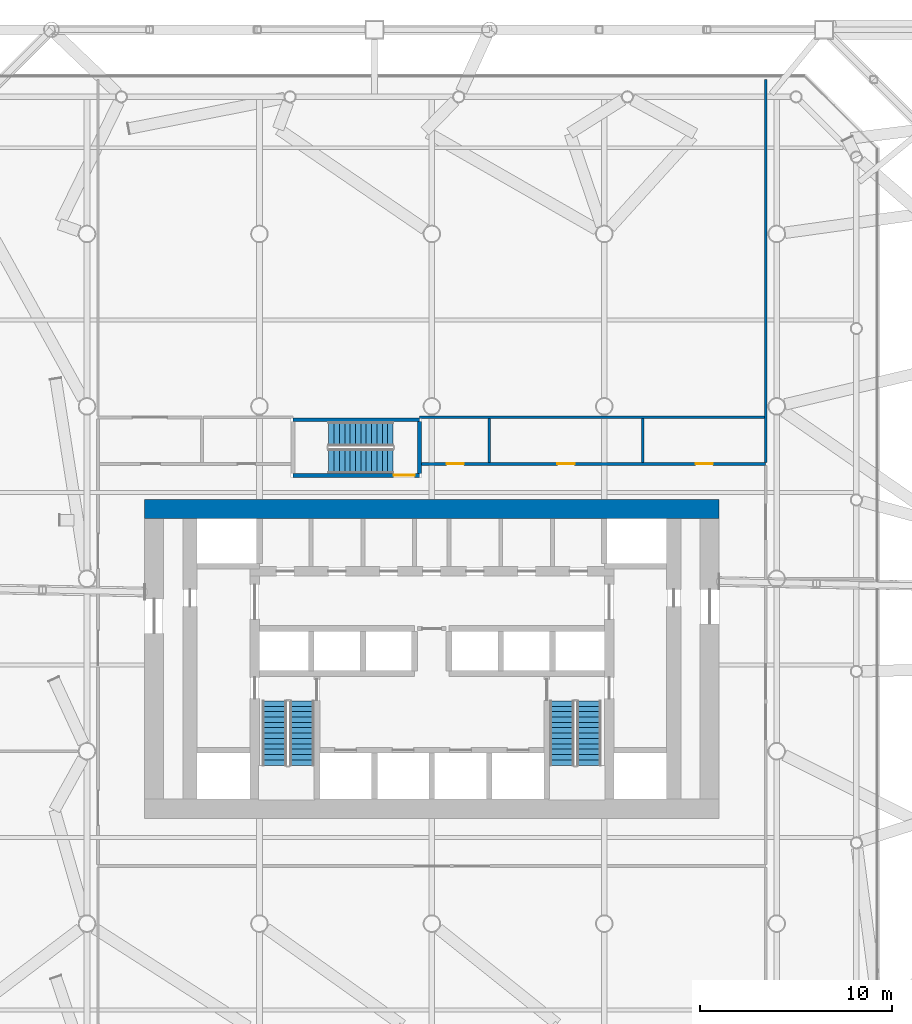
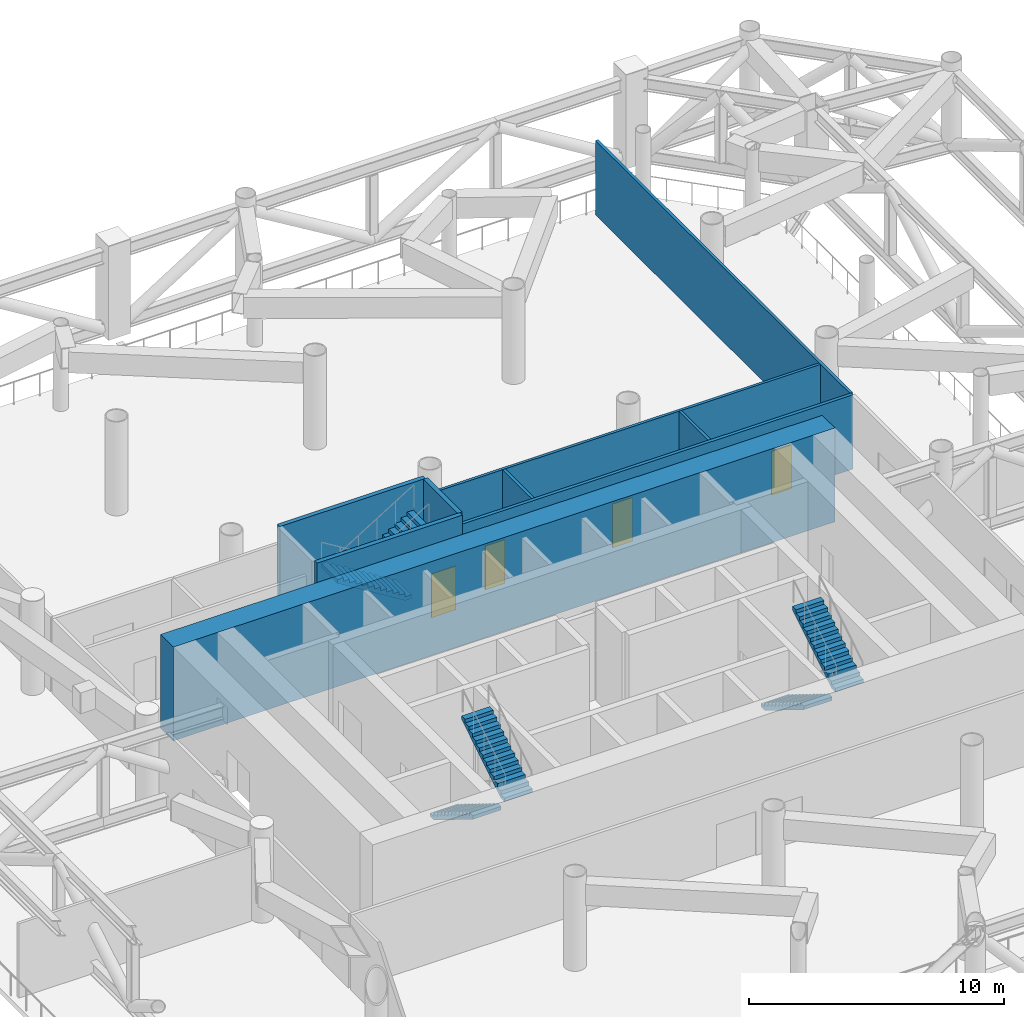
# One storey, part 16 of 22: 9 walls, 6 stair flights, 4 doors, 4 openings, 3 elements without a shape of their own.
"""IFC4 building model written with IfcOpenShell, lengths in metres."""

from ifc_helpers import new_model, si_unit, direction, frame, frame_2d, origin, place, context, subcontext, project, spatial, polyline, rectangle, outline, extrude, material, layer, layer_set, type_object, element, fill, aggregate, save


model = new_model("IFC4")

# Units and contexts
model_context = context("Model", 3, precision=1e-05, world=origin(), true_north=direction((0.0, 1.0)))
body_context = subcontext(model_context, "Body", "Model", "MODEL_VIEW")
ifc_project = project(units=[si_unit("LENGTHUNIT", "METRE"), si_unit("AREAUNIT", "SQUARE_METRE"), si_unit("VOLUMEUNIT", "CUBIC_METRE"), si_unit("PLANEANGLEUNIT", "RADIAN"), si_unit("MASSUNIT", "GRAM", prefix="KILO")], contexts=[model_context])

# Site, building, storey
site_placement = place(None, origin())
site = spatial("IfcSite", under=ifc_project, at=site_placement, CompositionType="ELEMENT")
building_placement = place(site_placement, origin())
building = spatial("IfcBuilding", under=site, at=building_placement, Name="Tskaro Facet Tower", CompositionType="ELEMENT")
storey_placement = place(building_placement, frame((0.0, 0.0, 57.60009765625)))
storey = spatial("IfcBuildingStorey", under=building, at=storey_placement, Name="L13", CompositionType="ELEMENT", Elevation=57.60009765625)

# Walls
ifc_material_1 = material(Name="Concrete C60/75", Category="concrete")
ifc_layer_1 = layer(ifc_material_1, 1.0, Name="Concrete C60/75")
ifc_layer_set_1 = layer_set([ifc_layer_1], Name="Concrete C60/75")
wall_type_1 = type_object("IfcWallType", Name="Core wall 1000", PredefinedType="SHEAR", material=ifc_layer_set_1)
wall_1_placement = place(storey_placement, frame((-15.0, 3.64990234375, 0.0), z_axis=(0.0, 0.0, 1.0), x_axis=(1.0, 0.0, 0.0)))
element("IfcWall", 1, at=wall_1_placement, inside=storey, type_object=wall_type_1, Name="Core wall CW-Z1N", PredefinedType="SHEAR", context=body_context, shape_type="SweptSolid", body=[
    extrude(rectangle(XDim=30.0, YDim=1.0, at=frame_2d((15.0, 0.0))), origin(), (0.0, 0.0, 1.0), 4.5),
])
ifc_material_2 = material(Name="Gypsum board on steel studs", Category="steel")
ifc_layer_2 = layer(ifc_material_2, 0.125, Name="Gypsum board on steel studs")
ifc_layer_set_2 = layer_set([ifc_layer_2], Name="Gypsum board on steel studs")
wall_type_2 = type_object("IfcWallType", Name="PART", PredefinedType="PARTITIONING", material=ifc_layer_set_2)
wall_2_placement = place(storey_placement, frame((-0.64990234375, 8.425048828125, 0.0), z_axis=(0.0, 0.0, 1.0), x_axis=(1.0, 0.0, 0.0)))
element("IfcWall", 2, at=wall_2_placement, inside=storey, type_object=wall_type_2, Name="Partition W022", PredefinedType="PARTITIONING", context=body_context, shape_type="SweptSolid", body=[
    extrude(rectangle(XDim=18.012451171875, YDim=0.125, at=frame_2d((9.00634765625, 0.0))), origin(), (0.0, 0.0, 1.0), 3.559814453125),
])
for number, where, z_axis, x_axis, name in (
    (3, (3.0, 6.074951171875, 0.0), (0.0, 0.0, 1.0), (0.0, 1.0, 0.0), "Partition W044"),
    (4, (11.0, 6.074951171875, 0.0), (0.0, 0.0, 1.0), (0.0, 1.0, 0.0), "Partition W051"),
):
    element("IfcWall", number, at=place(storey_placement, frame(where, z_axis=z_axis, x_axis=x_axis)), inside=storey, type_object=wall_type_2, Name=name, PredefinedType="PARTITIONING", context=body_context, shape_type="SweptSolid", body=[
        extrude(rectangle(XDim=2.28759765625, YDim=0.125, at=frame_2d((1.143798828125, 0.0))), origin(), (0.0, 0.0, 1.0), 3.559814453125),
    ])
wall_3_placement = place(storey_placement, frame((17.425048828125, 6.074951171875, 0.0), z_axis=(0.0, 0.0, 1.0), x_axis=(0.0, 1.0, 0.0)))
element("IfcWall", 5, at=wall_3_placement, inside=storey, type_object=wall_type_2, Name="Partition W054", PredefinedType="PARTITIONING", context=body_context, shape_type="SweptSolid", body=[
    extrude(rectangle(XDim=19.98193359375, YDim=0.125, at=frame_2d((9.990966796875, 0.0))), origin(), (0.0, 0.0, 1.0), 3.559814453125),
])

# Wall, openings, doors
ifc_layer_3 = layer(ifc_material_2, 0.14990234375, Name="Gypsum board on steel studs")
ifc_layer_set_3 = layer_set([ifc_layer_3], Name="Gypsum board on steel studs")
wall_type_3 = type_object("IfcWallType", Name="PART-CORR", PredefinedType="PARTITIONING", material=ifc_layer_set_3)
wall_4_placement = place(storey_placement, frame((-0.550048828125, 6.0, 0.0), z_axis=(0.0, 0.0, 1.0), x_axis=(1.0, 0.0, 0.0)))
wall_4 = element("IfcWall", 6, at=wall_4_placement, inside=storey, type_object=wall_type_3, Name="Corridor wall W018", PredefinedType="PARTITIONING", context=body_context, shape_type="SweptSolid", body=[
    extrude(rectangle(XDim=17.97509765625, YDim=0.14990234375, at=frame_2d((8.987548828125, 0.0))), origin(), (0.0, 0.0, 1.0), 3.559814453125),
])
opening_1_placement = place(wall_4_placement, frame((1.324951171875, 0.0, 0.0)))
opening_1 = element("IfcOpeningElement", 7, at=opening_1_placement, cuts=wall_4, Name="Opening R13-D29", PredefinedType="OPENING", context=body_context, shape_type="SweptSolid", body=[
    extrude(rectangle(XDim=0.89990234375, YDim=2.10009765625, at=frame_2d((0.449951171875, 1.050048828125))), frame((0.0, 0.0849609375, 0.0), z_axis=(0.0, -1.0, 0.0), x_axis=(1.0, 0.0, 0.0)), (0.0, 0.0, 1.0), 0.169921875),
])
opening_2_placement = place(wall_4_placement, frame((7.10009765625, 0.0, 0.0)))
opening_2 = element("IfcOpeningElement", 8, at=opening_2_placement, cuts=wall_4, Name="Opening R13-D30", PredefinedType="OPENING", context=body_context, shape_type="SweptSolid", body=[
    extrude(rectangle(XDim=0.89990234375, YDim=2.10009765625, at=frame_2d((0.449951171875, 1.050048828125))), frame((0.0, 0.0849609375, 0.0), z_axis=(0.0, -1.0, 0.0), x_axis=(1.0, 0.0, 0.0)), (0.0, 0.0, 1.0), 0.169921875),
])
opening_3_placement = place(wall_4_placement, frame((14.3125, 0.0, 0.0)))
opening_3 = element("IfcOpeningElement", 9, at=opening_3_placement, cuts=wall_4, Name="Opening R13-D31", PredefinedType="OPENING", context=body_context, shape_type="SweptSolid", body=[
    extrude(rectangle(XDim=0.89990234375, YDim=2.10009765625, at=frame_2d((0.449951171875, 1.050048828125))), frame((0.0, 0.0849609375, 0.0), z_axis=(0.0, -1.0, 0.0), x_axis=(1.0, 0.0, 0.0)), (0.0, 0.0, 1.0), 0.169921875),
])
ifc_material_3 = material(Name="Timber", Category="wood")
door_type_1 = type_object("IfcDoorType", Name="D-ROOM", OperationType="NOTDEFINED", PredefinedType="DOOR", material=ifc_material_3)
door_1_placement = place(opening_1_placement, origin())
door_1 = element("IfcDoor", 10, at=door_1_placement, inside=storey, type_object=door_type_1, Name="Door R13-D29", OperationType="SINGLE_SWING_LEFT", OverallHeight=2.10009765625, OverallWidth=0.89990234375, PredefinedType="DOOR", context=body_context, shape_type="SweptSolid", body=[
    extrude(rectangle(XDim=0.89990234375, YDim=2.10009765625, at=frame_2d((0.449951171875, 1.050048828125))), frame((0.0, 0.02490234375, 0.0), z_axis=(0.0, -1.0, 0.0), x_axis=(1.0, 0.0, 0.0)), (0.0, 0.0, 1.0), 0.050048828125),
])
fill(opening_1, door_1)
door_2_placement = place(opening_2_placement, origin())
door_2 = element("IfcDoor", 11, at=door_2_placement, inside=storey, type_object=door_type_1, Name="Door R13-D30", OperationType="SINGLE_SWING_LEFT", OverallHeight=2.10009765625, OverallWidth=0.89990234375, PredefinedType="DOOR", context=body_context, shape_type="SweptSolid", body=[
    extrude(rectangle(XDim=0.89990234375, YDim=2.10009765625, at=frame_2d((0.449951171875, 1.050048828125))), frame((0.0, 0.02490234375, 0.0), z_axis=(0.0, -1.0, 0.0), x_axis=(1.0, 0.0, 0.0)), (0.0, 0.0, 1.0), 0.050048828125),
])
fill(opening_2, door_2)
door_3_placement = place(opening_3_placement, origin())
door_3 = element("IfcDoor", 12, at=door_3_placement, inside=storey, type_object=door_type_1, Name="Door R13-D31", OperationType="SINGLE_SWING_LEFT", OverallHeight=2.10009765625, OverallWidth=0.89990234375, PredefinedType="DOOR", context=body_context, shape_type="SweptSolid", body=[
    extrude(rectangle(XDim=0.89990234375, YDim=2.10009765625, at=frame_2d((0.449951171875, 1.050048828125))), frame((0.0, 0.02490234375, 0.0), z_axis=(0.0, -1.0, 0.0), x_axis=(1.0, 0.0, 0.0)), (0.0, 0.0, 1.0), 0.050048828125),
])
fill(opening_3, door_3)

# Wall, opening, door
ifc_layer_4 = layer(ifc_material_1, 0.199951171875, Name="Concrete C60/75")
ifc_layer_set_4 = layer_set([ifc_layer_4], Name="Concrete C60/75")
wall_type_4 = type_object("IfcWallType", Name="STAIR-WALL", PredefinedType="SHEAR", material=ifc_layer_set_4)
wall_5_placement = place(storey_placement, frame((-7.25, 5.39990234375, 0.0), z_axis=(0.0, 0.0, 1.0), x_axis=(1.0, 0.0, 0.0)))
wall_5 = element("IfcWall", 13, at=wall_5_placement, inside=storey, type_object=wall_type_4, Name="Stair wall W016", PredefinedType="SHEAR", context=body_context, shape_type="SweptSolid", body=[
    extrude(rectangle(XDim=6.60009765625, YDim=0.199951171875, at=frame_2d((3.300048828125, 0.0))), origin(), (0.0, 0.0, 1.0), 4.5),
])
opening_4_placement = place(wall_5_placement, frame((5.25, 0.0, 0.0)))
opening_4 = element("IfcOpeningElement", 14, at=opening_4_placement, cuts=wall_5, Name="Opening ST-3-D1", PredefinedType="OPENING", context=body_context, shape_type="SweptSolid", body=[
    extrude(rectangle(XDim=1.10009765625, YDim=2.10009765625, at=frame_2d((0.550048828125, 1.050048828125))), frame((0.0, 0.10986328125, 0.0), z_axis=(0.0, -1.0, 0.0), x_axis=(1.0, 0.0, 0.0)), (0.0, 0.0, 1.0), 0.219970703125),
])
ifc_material_4 = material(Name="Steel", Category="steel")
door_type_2 = type_object("IfcDoorType", Name="D-STAIR", OperationType="NOTDEFINED", PredefinedType="DOOR", material=ifc_material_4)
door_4_placement = place(opening_4_placement, origin())
door_4 = element("IfcDoor", 15, at=door_4_placement, inside=storey, type_object=door_type_2, Name="Stair door 3", OperationType="SINGLE_SWING_LEFT", OverallHeight=2.10009765625, OverallWidth=1.10009765625, PredefinedType="DOOR", context=body_context, shape_type="SweptSolid", body=[
    extrude(rectangle(XDim=1.10009765625, YDim=2.10009765625, at=frame_2d((0.550048828125, 1.050048828125))), frame((0.0, 0.02490234375, 0.0), z_axis=(0.0, -1.0, 0.0), x_axis=(1.0, 0.0, 0.0)), (0.0, 0.0, 1.0), 0.050048828125),
])
fill(opening_4, door_4)

# Walls
wall_6_placement = place(storey_placement, frame((-7.25, 8.300048828125, 0.0), z_axis=(0.0, 0.0, 1.0), x_axis=(1.0, 0.0, 0.0)))
element("IfcWall", 16, at=wall_6_placement, inside=storey, type_object=wall_type_4, Name="Stair wall W019", PredefinedType="SHEAR", context=body_context, shape_type="SweptSolid", body=[
    extrude(rectangle(XDim=6.60009765625, YDim=0.199951171875, at=frame_2d((3.300048828125, 0.0))), origin(), (0.0, 0.0, 1.0), 4.5),
])
wall_7_placement = place(storey_placement, frame((-0.64990234375, 5.5, 0.0), z_axis=(0.0, 0.0, 1.0), x_axis=(0.0, 1.0, 0.0)))
element("IfcWall", 17, at=wall_7_placement, inside=storey, type_object=wall_type_4, Name="Stair wall W039", PredefinedType="SHEAR", context=body_context, shape_type="SweptSolid", body=[
    extrude(rectangle(XDim=2.699951171875, YDim=0.199951171875, at=frame_2d((1.35009765625, 0.0))), origin(), (0.0, 0.0, 1.0), 4.5),
])

# Stair, stair flights
ifc_material_5 = material(Name="Concrete C40/50", Category="concrete")
stair_type = type_object("IfcStairType", Name="ST-TWR", PredefinedType="HALF_TURN_STAIR", material=ifc_material_5)
stair_1_placement = place(storey_placement, origin())
stair_1 = element("IfcStair", 18, at=stair_1_placement, inside=storey, type_object=stair_type, Name="L13 Exit stair 1", PredefinedType="HALF_TURN_STAIR")
stair_flight_type = type_object("IfcStairFlightType", Name="SFL-RC", PredefinedType="STRAIGHT", material=ifc_material_5)
stair_flight_1_placement = place(storey_placement, frame((-8.21240234375, -6.375, 0.0), z_axis=(0.0, 0.0, 1.0), x_axis=(0.0, -1.0, 0.0)))
stair_flight_1 = element("IfcStairFlight", 19, at=stair_flight_1_placement, type_object=stair_flight_type, Name="ST-1 flight 1", NumberOfRisers=13, NumberOfTreads=12, PredefinedType="STRAIGHT", RiserHeight=0.173076923, TreadLength=0.28, context=body_context, shape_type="SweptSolid", body=[
    extrude(outline(polyline([(0.0, 0.0), (0.0, 0.173095703125), (0.280029296875, 0.173095703125), (0.280029296875, 0.34619140625), (0.56005859375, 0.34619140625), (0.56005859375, 0.519287109375), (0.840087890625, 0.519287109375), (0.840087890625, 0.6923828125), (1.1201171875, 0.6923828125), (1.1201171875, 0.865478515625), (1.39990234375, 0.865478515625), (1.39990234375, 1.03857421875), (1.679931640625, 1.03857421875), (1.679931640625, 1.21142578125), (1.9599609375, 1.21142578125), (1.9599609375, 1.384521484375), (2.239990234375, 1.384521484375), (2.239990234375, 1.5576171875), (2.52001953125, 1.5576171875), (2.52001953125, 1.730712890625), (2.800048828125, 1.730712890625), (2.800048828125, 1.90380859375), (3.080078125, 1.90380859375), (3.080078125, 2.076904296875), (3.360107421875, 2.076904296875), (3.360107421875, 2.25), (3.360107421875, 1.900634765625), (0.28515625, 0.0), (0.0, 0.0)])), frame((0.0, 0.637451171875, 0.0), z_axis=(0.0, -1.0, 0.0), x_axis=(1.0, 0.0, 0.0)), (0.0, 0.0, 1.0), 1.27490234375),
])
stair_flight_2_placement = place(storey_placement, frame((-6.78759765625, -9.735107421875, 2.25), z_axis=(0.0, 0.0, 1.0), x_axis=(0.0, 1.0, 0.0)))
stair_flight_2 = element("IfcStairFlight", 20, at=stair_flight_2_placement, type_object=stair_flight_type, Name="ST-1 flight 2", NumberOfRisers=13, NumberOfTreads=12, PredefinedType="STRAIGHT", RiserHeight=0.173076923, TreadLength=0.28, context=body_context, shape_type="SweptSolid", body=[
    extrude(outline(polyline([(0.0, 0.0), (0.0, 0.173095703125), (0.280029296875, 0.173095703125), (0.280029296875, 0.34619140625), (0.56005859375, 0.34619140625), (0.56005859375, 0.519287109375), (0.840087890625, 0.519287109375), (0.840087890625, 0.6923828125), (1.1201171875, 0.6923828125), (1.1201171875, 0.865478515625), (1.39990234375, 0.865478515625), (1.39990234375, 1.03857421875), (1.679931640625, 1.03857421875), (1.679931640625, 1.21142578125), (1.9599609375, 1.21142578125), (1.9599609375, 1.384521484375), (2.239990234375, 1.384521484375), (2.239990234375, 1.5576171875), (2.52001953125, 1.5576171875), (2.52001953125, 1.730712890625), (2.800048828125, 1.730712890625), (2.800048828125, 1.90380859375), (3.080078125, 1.90380859375), (3.080078125, 2.076904296875), (3.360107421875, 2.076904296875), (3.360107421875, 2.25), (3.360107421875, 1.900634765625), (0.28515625, 0.0), (0.0, 0.0)])), frame((0.0, 0.637451171875, 0.0), z_axis=(0.0, -1.0, 0.0), x_axis=(1.0, 0.0, 0.0)), (0.0, 0.0, 1.0), 1.27490234375),
])
aggregate(stair_1, [stair_flight_1, stair_flight_2])

stair_2_placement = place(storey_placement, origin())
stair_2 = element("IfcStair", 21, at=stair_2_placement, inside=storey, type_object=stair_type, Name="L13 Exit stair 2", PredefinedType="HALF_TURN_STAIR")
stair_flight_3_placement = place(storey_placement, frame((6.78759765625, -6.375, 0.0), z_axis=(0.0, 0.0, 1.0), x_axis=(0.0, -1.0, 0.0)))
stair_flight_3 = element("IfcStairFlight", 22, at=stair_flight_3_placement, type_object=stair_flight_type, Name="ST-2 flight 1", NumberOfRisers=13, NumberOfTreads=12, PredefinedType="STRAIGHT", RiserHeight=0.173076923, TreadLength=0.28, context=body_context, shape_type="SweptSolid", body=[
    extrude(outline(polyline([(0.0, 0.0), (0.0, 0.173095703125), (0.280029296875, 0.173095703125), (0.280029296875, 0.34619140625), (0.56005859375, 0.34619140625), (0.56005859375, 0.519287109375), (0.840087890625, 0.519287109375), (0.840087890625, 0.6923828125), (1.1201171875, 0.6923828125), (1.1201171875, 0.865478515625), (1.39990234375, 0.865478515625), (1.39990234375, 1.03857421875), (1.679931640625, 1.03857421875), (1.679931640625, 1.21142578125), (1.9599609375, 1.21142578125), (1.9599609375, 1.384521484375), (2.239990234375, 1.384521484375), (2.239990234375, 1.5576171875), (2.52001953125, 1.5576171875), (2.52001953125, 1.730712890625), (2.800048828125, 1.730712890625), (2.800048828125, 1.90380859375), (3.080078125, 1.90380859375), (3.080078125, 2.076904296875), (3.360107421875, 2.076904296875), (3.360107421875, 2.25), (3.360107421875, 1.900634765625), (0.28515625, 0.0), (0.0, 0.0)])), frame((0.0, 0.637451171875, 0.0), z_axis=(0.0, -1.0, 0.0), x_axis=(1.0, 0.0, 0.0)), (0.0, 0.0, 1.0), 1.27490234375),
])
stair_flight_4_placement = place(storey_placement, frame((8.21240234375, -9.735107421875, 2.25), z_axis=(0.0, 0.0, 1.0), x_axis=(0.0, 1.0, 0.0)))
stair_flight_4 = element("IfcStairFlight", 23, at=stair_flight_4_placement, type_object=stair_flight_type, Name="ST-2 flight 2", NumberOfRisers=13, NumberOfTreads=12, PredefinedType="STRAIGHT", RiserHeight=0.173076923, TreadLength=0.28, context=body_context, shape_type="SweptSolid", body=[
    extrude(outline(polyline([(0.0, 0.0), (0.0, 0.173095703125), (0.280029296875, 0.173095703125), (0.280029296875, 0.34619140625), (0.56005859375, 0.34619140625), (0.56005859375, 0.519287109375), (0.840087890625, 0.519287109375), (0.840087890625, 0.6923828125), (1.1201171875, 0.6923828125), (1.1201171875, 0.865478515625), (1.39990234375, 0.865478515625), (1.39990234375, 1.03857421875), (1.679931640625, 1.03857421875), (1.679931640625, 1.21142578125), (1.9599609375, 1.21142578125), (1.9599609375, 1.384521484375), (2.239990234375, 1.384521484375), (2.239990234375, 1.5576171875), (2.52001953125, 1.5576171875), (2.52001953125, 1.730712890625), (2.800048828125, 1.730712890625), (2.800048828125, 1.90380859375), (3.080078125, 1.90380859375), (3.080078125, 2.076904296875), (3.360107421875, 2.076904296875), (3.360107421875, 2.25), (3.360107421875, 1.900634765625), (0.28515625, 0.0), (0.0, 0.0)])), frame((0.0, 0.637451171875, 0.0), z_axis=(0.0, -1.0, 0.0), x_axis=(1.0, 0.0, 0.0)), (0.0, 0.0, 1.0), 1.27490234375),
])
aggregate(stair_2, [stair_flight_3, stair_flight_4])

stair_3_placement = place(storey_placement, origin())
stair_3 = element("IfcStair", 24, at=stair_3_placement, inside=storey, type_object=stair_type, Name="L13 Exit stair 3", PredefinedType="HALF_TURN_STAIR")
stair_flight_5_placement = place(storey_placement, frame((-2.02490234375, 7.5625, 0.0), z_axis=(0.0, 0.0, 1.0), x_axis=(-1.0, 0.0, 0.0)))
stair_flight_5 = element("IfcStairFlight", 25, at=stair_flight_5_placement, type_object=stair_flight_type, Name="ST-3 flight 1", NumberOfRisers=13, NumberOfTreads=12, PredefinedType="STRAIGHT", RiserHeight=0.173076923, TreadLength=0.28, context=body_context, shape_type="SweptSolid", body=[
    extrude(outline(polyline([(0.0, 0.0), (0.0, 0.173095703125), (0.280029296875, 0.173095703125), (0.280029296875, 0.34619140625), (0.56005859375, 0.34619140625), (0.56005859375, 0.519287109375), (0.840087890625, 0.519287109375), (0.840087890625, 0.6923828125), (1.1201171875, 0.6923828125), (1.1201171875, 0.865478515625), (1.39990234375, 0.865478515625), (1.39990234375, 1.03857421875), (1.679931640625, 1.03857421875), (1.679931640625, 1.21142578125), (1.9599609375, 1.21142578125), (1.9599609375, 1.384521484375), (2.239990234375, 1.384521484375), (2.239990234375, 1.5576171875), (2.52001953125, 1.5576171875), (2.52001953125, 1.730712890625), (2.800048828125, 1.730712890625), (2.800048828125, 1.90380859375), (3.080078125, 1.90380859375), (3.080078125, 2.076904296875), (3.360107421875, 2.076904296875), (3.360107421875, 2.25), (3.360107421875, 1.900634765625), (0.28515625, 0.0), (0.0, 0.0)])), frame((0.0, 0.637451171875, 0.0), z_axis=(0.0, -1.0, 0.0), x_axis=(1.0, 0.0, 0.0)), (0.0, 0.0, 1.0), 1.27490234375),
])
stair_flight_6_placement = place(storey_placement, frame((-5.385009765625, 6.137451171875, 2.25), z_axis=(0.0, 0.0, 1.0), x_axis=(1.0, 0.0, 0.0)))
stair_flight_6 = element("IfcStairFlight", 26, at=stair_flight_6_placement, type_object=stair_flight_type, Name="ST-3 flight 2", NumberOfRisers=13, NumberOfTreads=12, PredefinedType="STRAIGHT", RiserHeight=0.173076923, TreadLength=0.28, context=body_context, shape_type="SweptSolid", body=[
    extrude(outline(polyline([(0.0, 0.0), (0.0, 0.173095703125), (0.280029296875, 0.173095703125), (0.280029296875, 0.34619140625), (0.56005859375, 0.34619140625), (0.56005859375, 0.519287109375), (0.840087890625, 0.519287109375), (0.840087890625, 0.6923828125), (1.1201171875, 0.6923828125), (1.1201171875, 0.865478515625), (1.39990234375, 0.865478515625), (1.39990234375, 1.03857421875), (1.679931640625, 1.03857421875), (1.679931640625, 1.21142578125), (1.9599609375, 1.21142578125), (1.9599609375, 1.384521484375), (2.239990234375, 1.384521484375), (2.239990234375, 1.5576171875), (2.52001953125, 1.5576171875), (2.52001953125, 1.730712890625), (2.800048828125, 1.730712890625), (2.800048828125, 1.90380859375), (3.080078125, 1.90380859375), (3.080078125, 2.076904296875), (3.360107421875, 2.076904296875), (3.360107421875, 2.25), (3.360107421875, 1.900634765625), (0.28515625, 0.0), (0.0, 0.0)])), frame((0.0, 0.637451171875, 0.0), z_axis=(0.0, -1.0, 0.0), x_axis=(1.0, 0.0, 0.0)), (0.0, 0.0, 1.0), 1.27490234375),
])
aggregate(stair_3, [stair_flight_5, stair_flight_6])

save(model, "model.ifc")
